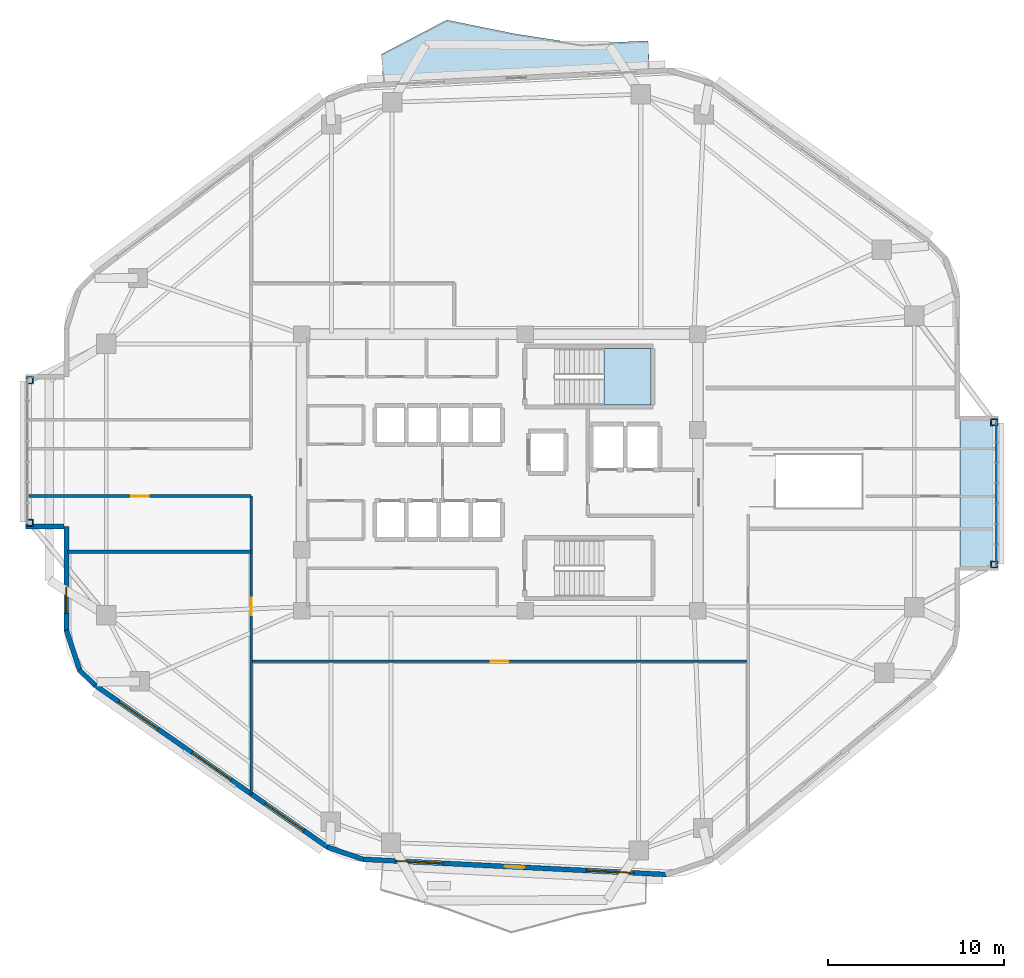
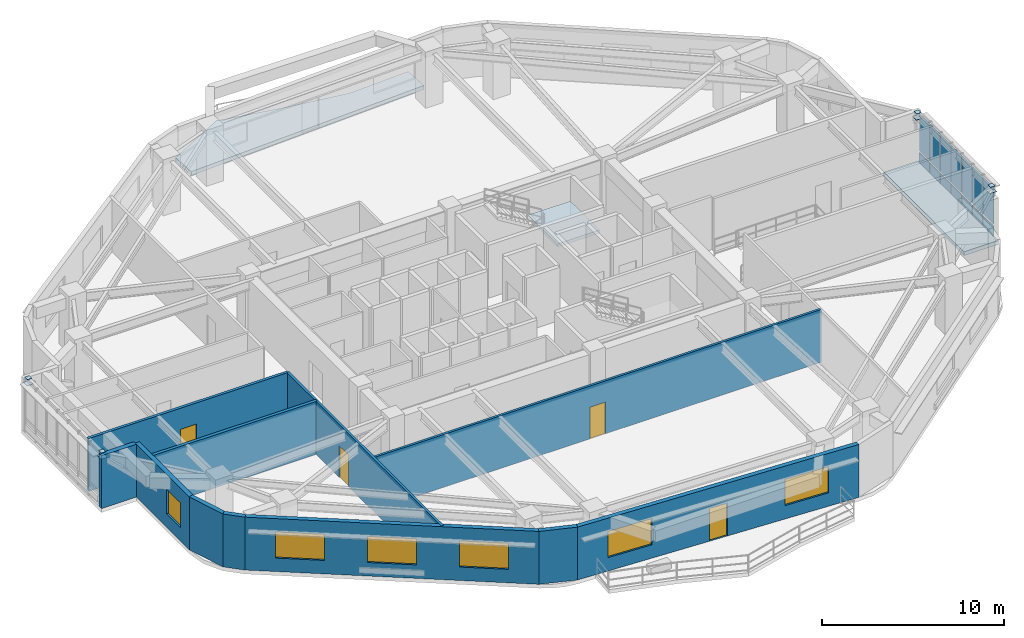
# One storey, part 7 of 14: 22 plates, 11 walls, 6 windows, 4 doors, 3 slabs, 10 openings, 2 elements without a shape of their own.
"""IFC4 building model written with IfcOpenShell, lengths in metres."""

from ifc_helpers import new_model, si_unit, direction, frame, frame_2d, origin, origin_2d, place, context, subcontext, project, spatial, polyline, rectangle, outline, extrude, material, layer, layer_set, type_object, element, fill, aggregate, save


model = new_model("IFC4")

# Units and contexts
model_context = context("Model", 3, precision=1e-05, world=origin(), true_north=direction((0.0, 1.0)))
body_context = subcontext(model_context, "Body", "Model", "MODEL_VIEW")
ifc_project = project(units=[si_unit("LENGTHUNIT", "METRE"), si_unit("AREAUNIT", "SQUARE_METRE"), si_unit("VOLUMEUNIT", "CUBIC_METRE"), si_unit("PLANEANGLEUNIT", "RADIAN"), si_unit("MASSUNIT", "GRAM", prefix="KILO")], contexts=[model_context])

# Site, building, storey
site_placement = place(None, origin())
site = spatial("IfcSite", under=ifc_project, at=site_placement, CompositionType="ELEMENT")
building_placement = place(site_placement, origin())
building = spatial("IfcBuilding", under=site, at=building_placement, Name="Zulverin Broadcast Headquarters", CompositionType="ELEMENT")
storey_placement = place(building_placement, frame((0.0, 0.0, 128.800048828125)))
storey = spatial("IfcBuildingStorey", under=building, at=storey_placement, Name="L32", CompositionType="ELEMENT", Elevation=128.800048828125)

# Curtain wall, plates
ifc_material_1 = material(Name="Acoustic triple-glazed studio box curtain wall", Category="aluminium")
curtain_wall_type = type_object("IfcCurtainWallType", Name="CW-SBOX", PredefinedType="USERDEFINED", material=ifc_material_1)
curtain_wall_placement = place(storey_placement, origin())
curtain_wall = element("IfcCurtainWall", 1, at=curtain_wall_placement, inside=storey, type_object=curtain_wall_type, Name="L32 Unitised Curtain Wall CW-L32-SBOX_SKY1_E-F", ObjectType="UNITISED CURTAIN WALL", PredefinedType="USERDEFINED")
ifc_material_2 = material(Name="Low-E double-glazed pale-silver vision glass", Category="glass")
ifc_layer_1 = layer(ifc_material_2, 0.035888671875, Name="Low-E double-glazed pale-silver vision glass", Category="glass")
ifc_layer_set_1 = layer_set([ifc_layer_1], Name="Low-E double-glazed pale-silver vision glass")
plate_type_1 = type_object("IfcPlateType", Name="CW-PNL-GLZ", PredefinedType="CURTAIN_PANEL", material=ifc_layer_set_1)
plate_1_placement = place(storey_placement, frame((65.280029296875, 20.512939453125, 0.91455078125), z_axis=(0.0, 0.0, 1.0), x_axis=(0.0, 1.0, 0.0)))
plate_1 = element("IfcPlate", 2, at=plate_1_placement, type_object=plate_type_1, Name="CW-L32-SBOX_SKY1_E-F Vision Panel 00", PredefinedType="CURTAIN_PANEL", context=body_context, shape_type="SweptSolid", body=[
    extrude(rectangle(XDim=1.125732421875, YDim=0.035888671875, at=origin_2d()), origin(), (0.0, 0.0, 1.0), 2.4853515625),
])
plate_2_placement = place(storey_placement, frame((65.280029296875, 21.6787109375, 0.91455078125), z_axis=(0.0, 0.0, 1.0), x_axis=(0.0, 1.0, 0.0)))
plate_2 = element("IfcPlate", 3, at=plate_2_placement, type_object=plate_type_1, Name="CW-L32-SBOX_SKY1_E-F Vision Panel 01", PredefinedType="CURTAIN_PANEL", context=body_context, shape_type="SweptSolid", body=[
    extrude(rectangle(XDim=1.125732421875, YDim=0.035888671875, at=origin_2d()), origin(), (0.0, 0.0, 1.0), 2.4853515625),
])
plate_3_placement = place(storey_placement, frame((65.280029296875, 22.84423828125, 0.91455078125), z_axis=(0.0, 0.0, 1.0), x_axis=(0.0, 1.0, 0.0)))
plate_3 = element("IfcPlate", 4, at=plate_3_placement, type_object=plate_type_1, Name="CW-L32-SBOX_SKY1_E-F Vision Panel 02", PredefinedType="CURTAIN_PANEL", context=body_context, shape_type="SweptSolid", body=[
    extrude(rectangle(XDim=1.125732421875, YDim=0.035888671875, at=origin_2d()), origin(), (0.0, 0.0, 1.0), 2.4853515625),
])
plate_4_placement = place(storey_placement, frame((65.280029296875, 24.010009765625, 0.91455078125), z_axis=(0.0, 0.0, 1.0), x_axis=(0.0, 1.0, 0.0)))
plate_4 = element("IfcPlate", 5, at=plate_4_placement, type_object=plate_type_1, Name="CW-L32-SBOX_SKY1_E-F Vision Panel 03", PredefinedType="CURTAIN_PANEL", context=body_context, shape_type="SweptSolid", body=[
    extrude(rectangle(XDim=1.125732421875, YDim=0.035888671875, at=origin_2d()), origin(), (0.0, 0.0, 1.0), 2.4853515625),
])
plate_5_placement = place(storey_placement, frame((65.280029296875, 25.17578125, 0.91455078125), z_axis=(0.0, 0.0, 1.0), x_axis=(0.0, 1.0, 0.0)))
plate_5 = element("IfcPlate", 6, at=plate_5_placement, type_object=plate_type_1, Name="CW-L32-SBOX_SKY1_E-F Vision Panel 04", PredefinedType="CURTAIN_PANEL", context=body_context, shape_type="SweptSolid", body=[
    extrude(rectangle(XDim=1.125732421875, YDim=0.035888671875, at=origin_2d()), origin(), (0.0, 0.0, 1.0), 2.4853515625),
])
plate_6_placement = place(storey_placement, frame((65.280029296875, 26.34130859375, 0.91455078125), z_axis=(0.0, 0.0, 1.0), x_axis=(0.0, 1.0, 0.0)))
plate_6 = element("IfcPlate", 7, at=plate_6_placement, type_object=plate_type_1, Name="CW-L32-SBOX_SKY1_E-F Vision Panel 05", PredefinedType="CURTAIN_PANEL", context=body_context, shape_type="SweptSolid", body=[
    extrude(rectangle(XDim=1.125732421875, YDim=0.035888671875, at=origin_2d()), origin(), (0.0, 0.0, 1.0), 2.4853515625),
])
plate_7_placement = place(storey_placement, frame((65.280029296875, 27.507080078125, 0.91455078125), z_axis=(0.0, 0.0, 1.0), x_axis=(0.0, 1.0, 0.0)))
plate_7 = element("IfcPlate", 8, at=plate_7_placement, type_object=plate_type_1, Name="CW-L32-SBOX_SKY1_E-F Vision Panel 06", PredefinedType="CURTAIN_PANEL", context=body_context, shape_type="SweptSolid", body=[
    extrude(rectangle(XDim=1.125732421875, YDim=0.035888671875, at=origin_2d()), origin(), (0.0, 0.0, 1.0), 2.4853515625),
])
ifc_material_3 = material(Name="Insulated brushed pale-aluminium spandrel cassette", Category="aluminium")
ifc_layer_2 = layer(ifc_material_3, 0.050048828125, Name="Insulated brushed pale-aluminium spandrel cassette", Category="aluminium")
ifc_layer_set_2 = layer_set([ifc_layer_2], Name="Insulated brushed pale-aluminium spandrel cassette")
plate_type_2 = type_object("IfcPlateType", Name="CW-PNL-SPN", PredefinedType="CURTAIN_PANEL", material=ifc_layer_set_2)
plate_8_placement = place(storey_placement, frame((65.280029296875, 20.512939453125, 0.139892578125), z_axis=(0.0, 0.0, 1.0), x_axis=(0.0, 1.0, 0.0)))
plate_8 = element("IfcPlate", 9, at=plate_8_placement, type_object=plate_type_2, Name="CW-L32-SBOX_SKY1_E-F Spandrel Cassette 00", PredefinedType="CURTAIN_PANEL", context=body_context, shape_type="SweptSolid", body=[
    extrude(rectangle(XDim=1.125732421875, YDim=0.050048828125, at=origin_2d()), origin(), (0.0, 0.0, 1.0), 0.64453125),
])
plate_9_placement = place(storey_placement, frame((65.280029296875, 21.6787109375, 0.139892578125), z_axis=(0.0, 0.0, 1.0), x_axis=(0.0, 1.0, 0.0)))
plate_9 = element("IfcPlate", 10, at=plate_9_placement, type_object=plate_type_2, Name="CW-L32-SBOX_SKY1_E-F Spandrel Cassette 01", PredefinedType="CURTAIN_PANEL", context=body_context, shape_type="SweptSolid", body=[
    extrude(rectangle(XDim=1.125732421875, YDim=0.050048828125, at=origin_2d()), origin(), (0.0, 0.0, 1.0), 0.64453125),
])
plate_10_placement = place(storey_placement, frame((65.280029296875, 22.84423828125, 0.139892578125), z_axis=(0.0, 0.0, 1.0), x_axis=(0.0, 1.0, 0.0)))
plate_10 = element("IfcPlate", 11, at=plate_10_placement, type_object=plate_type_2, Name="CW-L32-SBOX_SKY1_E-F Spandrel Cassette 02", PredefinedType="CURTAIN_PANEL", context=body_context, shape_type="SweptSolid", body=[
    extrude(rectangle(XDim=1.125732421875, YDim=0.050048828125, at=origin_2d()), origin(), (0.0, 0.0, 1.0), 0.64453125),
])
plate_11_placement = place(storey_placement, frame((65.280029296875, 24.010009765625, 0.139892578125), z_axis=(0.0, 0.0, 1.0), x_axis=(0.0, 1.0, 0.0)))
plate_11 = element("IfcPlate", 12, at=plate_11_placement, type_object=plate_type_2, Name="CW-L32-SBOX_SKY1_E-F Spandrel Cassette 03", PredefinedType="CURTAIN_PANEL", context=body_context, shape_type="SweptSolid", body=[
    extrude(rectangle(XDim=1.125732421875, YDim=0.050048828125, at=origin_2d()), origin(), (0.0, 0.0, 1.0), 0.64453125),
])
plate_12_placement = place(storey_placement, frame((65.280029296875, 25.17578125, 0.139892578125), z_axis=(0.0, 0.0, 1.0), x_axis=(0.0, 1.0, 0.0)))
plate_12 = element("IfcPlate", 13, at=plate_12_placement, type_object=plate_type_2, Name="CW-L32-SBOX_SKY1_E-F Spandrel Cassette 04", PredefinedType="CURTAIN_PANEL", context=body_context, shape_type="SweptSolid", body=[
    extrude(rectangle(XDim=1.125732421875, YDim=0.050048828125, at=origin_2d()), origin(), (0.0, 0.0, 1.0), 0.64453125),
])
plate_13_placement = place(storey_placement, frame((65.280029296875, 26.34130859375, 0.139892578125), z_axis=(0.0, 0.0, 1.0), x_axis=(0.0, 1.0, 0.0)))
plate_13 = element("IfcPlate", 14, at=plate_13_placement, type_object=plate_type_2, Name="CW-L32-SBOX_SKY1_E-F Spandrel Cassette 05", PredefinedType="CURTAIN_PANEL", context=body_context, shape_type="SweptSolid", body=[
    extrude(rectangle(XDim=1.125732421875, YDim=0.050048828125, at=origin_2d()), origin(), (0.0, 0.0, 1.0), 0.64453125),
])
plate_14_placement = place(storey_placement, frame((65.280029296875, 27.507080078125, 0.139892578125), z_axis=(0.0, 0.0, 1.0), x_axis=(0.0, 1.0, 0.0)))
plate_14 = element("IfcPlate", 15, at=plate_14_placement, type_object=plate_type_2, Name="CW-L32-SBOX_SKY1_E-F Spandrel Cassette 06", PredefinedType="CURTAIN_PANEL", context=body_context, shape_type="SweptSolid", body=[
    extrude(rectangle(XDim=1.125732421875, YDim=0.050048828125, at=origin_2d()), origin(), (0.0, 0.0, 1.0), 0.64453125),
])
aggregate(curtain_wall, [plate_8, plate_1, plate_9, plate_2, plate_10, plate_3, plate_11, plate_4, plate_12, plate_5, plate_13, plate_6, plate_14, plate_7])

# Plates
ifc_material_4 = material(Name="Structural steel S355JR", Category="steel")
ifc_layer_3 = layer(ifc_material_4, 0.02490234375, Name="Structural steel S355JR", Category="steel")
ifc_layer_set_3 = layer_set([ifc_layer_3], Name="Structural steel S355JR")
plate_type_3 = type_object("IfcPlateType", Name="PLT-NODE-SBN1", PredefinedType="SHEET", material=ifc_layer_set_3)
plate_15_placement = place(storey_placement, frame((65.14990234375, 19.9599609375, 3.53759765625), z_axis=(0.0, 0.0, 1.0), x_axis=(1.0, 0.0, 0.0)))
element("IfcPlate", 16, at=plate_15_placement, inside=storey, type_object=plate_type_3, Name="SBN-1 Studio Box Post End Cap Plate L32-SBOX_SKY1_E-1", PredefinedType="SHEET", context=body_context, shape_type="SweptSolid", body=[
    extrude(rectangle(XDim=0.300048828125, YDim=0.300048828125, at=origin_2d()), origin(), (0.0, 0.0, 1.0), 0.02490234375),
])
plate_16_placement = place(storey_placement, frame((65.14990234375, 19.9599609375, 3.177490234375), z_axis=(0.0, 0.0, 1.0), x_axis=(1.0, 0.0, 0.0)))
element("IfcPlate", 17, at=plate_16_placement, inside=storey, type_object=plate_type_3, Name="SBN-1 Studio Box Node Gusset Plate L32-SBOX_SKY1_E-1", PredefinedType="SHEET", context=body_context, shape_type="SweptSolid", body=[
    extrude(rectangle(XDim=0.419921875, YDim=0.419921875, at=origin_2d()), origin(), (0.0, 0.0, 1.0), 0.02490234375),
])
plate_17_placement = place(storey_placement, frame((65.14990234375, 28.06005859375, 3.53759765625), z_axis=(0.0, 0.0, 1.0), x_axis=(1.0, 0.0, 0.0)))
element("IfcPlate", 18, at=plate_17_placement, inside=storey, type_object=plate_type_3, Name="SBN-1 Studio Box Post End Cap Plate L32-SBOX_SKY1_E-2", PredefinedType="SHEET", context=body_context, shape_type="SweptSolid", body=[
    extrude(rectangle(XDim=0.300048828125, YDim=0.300048828125, at=origin_2d()), origin(), (0.0, 0.0, 1.0), 0.02490234375),
])
plate_18_placement = place(storey_placement, frame((65.14990234375, 28.06005859375, 3.177490234375), z_axis=(0.0, 0.0, 1.0), x_axis=(1.0, 0.0, 0.0)))
element("IfcPlate", 19, at=plate_18_placement, inside=storey, type_object=plate_type_3, Name="SBN-1 Studio Box Node Gusset Plate L32-SBOX_SKY1_E-2", PredefinedType="SHEET", context=body_context, shape_type="SweptSolid", body=[
    extrude(rectangle(XDim=0.419921875, YDim=0.419921875, at=origin_2d()), origin(), (0.0, 0.0, 1.0), 0.02490234375),
])
plate_19_placement = place(storey_placement, frame((10.25, 22.340087890625, 3.53759765625), z_axis=(0.0, 0.0, 1.0), x_axis=(1.0, 0.0, 0.0)))
element("IfcPlate", 20, at=plate_19_placement, inside=storey, type_object=plate_type_3, Name="SBN-1 Studio Box Post End Cap Plate L32-SBOX_SKY1_W-1", PredefinedType="SHEET", context=body_context, shape_type="SweptSolid", body=[
    extrude(rectangle(XDim=0.300048828125, YDim=0.300048828125, at=origin_2d()), origin(), (0.0, 0.0, 1.0), 0.02490234375),
])
plate_20_placement = place(storey_placement, frame((10.25, 22.340087890625, 3.177490234375), z_axis=(0.0, 0.0, 1.0), x_axis=(1.0, 0.0, 0.0)))
element("IfcPlate", 21, at=plate_20_placement, inside=storey, type_object=plate_type_3, Name="SBN-1 Studio Box Node Gusset Plate L32-SBOX_SKY1_W-1", PredefinedType="SHEET", context=body_context, shape_type="SweptSolid", body=[
    extrude(rectangle(XDim=0.419921875, YDim=0.419921875, at=origin_2d()), origin(), (0.0, 0.0, 1.0), 0.02490234375),
])
plate_21_placement = place(storey_placement, frame((10.25, 30.43994140625, 3.53759765625), z_axis=(0.0, 0.0, 1.0), x_axis=(1.0, 0.0, 0.0)))
element("IfcPlate", 22, at=plate_21_placement, inside=storey, type_object=plate_type_3, Name="SBN-1 Studio Box Post End Cap Plate L32-SBOX_SKY1_W-2", PredefinedType="SHEET", context=body_context, shape_type="SweptSolid", body=[
    extrude(rectangle(XDim=0.300048828125, YDim=0.300048828125, at=origin_2d()), origin(), (0.0, 0.0, 1.0), 0.02490234375),
])
plate_22_placement = place(storey_placement, frame((10.25, 30.43994140625, 3.177490234375), z_axis=(0.0, 0.0, 1.0), x_axis=(1.0, 0.0, 0.0)))
element("IfcPlate", 23, at=plate_22_placement, inside=storey, type_object=plate_type_3, Name="SBN-1 Studio Box Node Gusset Plate L32-SBOX_SKY1_W-2", PredefinedType="SHEET", context=body_context, shape_type="SweptSolid", body=[
    extrude(rectangle(XDim=0.419921875, YDim=0.419921875, at=origin_2d()), origin(), (0.0, 0.0, 1.0), 0.02490234375),
])

# Slab
ifc_material_5 = material(Name="Concrete C40/50", Category="concrete")
ifc_layer_4 = layer(ifc_material_5, 0.260009765625, Name="Concrete C40/50", Category="concrete")
ifc_layer_set_4 = layer_set([ifc_layer_4], Name="Concrete C40/50")
slab_type_1 = type_object("IfcSlabType", Name="SLB-BAL-260", PredefinedType="FLOOR", material=ifc_layer_set_4)
slab_1_placement = place(storey_placement, frame((0.0, 0.0, -0.260009765625)))
element("IfcSlab", 24, at=slab_1_placement, inside=storey, type_object=slab_type_1, Name="L32 Cantilevered Planted Balcony Slab BAL_N", PredefinedType="FLOOR", context=body_context, shape_type="SweptSolid", body=[
    extrude(outline(polyline([(30.364013671875, 47.4150390625), (45.526611328125, 48.17578125), (45.4462890625, 49.773681640625), (41.65576171875, 49.58349609375), (37.82568359375, 50.17724609375), (33.986572265625, 50.954833984375), (30.28369140625, 49.012939453125), (30.364013671875, 47.4150390625)])), origin(), (0.0, 0.0, 1.0), 0.260009765625),
])

# Stair, slab
stair_type = type_object("IfcStairType", Name="ST-CORE-1500", PredefinedType="HALF_TURN_STAIR", material=ifc_material_5)
stair_placement = place(storey_placement, origin())
stair = element("IfcStair", 25, at=stair_placement, inside=storey, type_object=stair_type, Name="L32 Core Exit Stair ST-1", PredefinedType="HALF_TURN_STAIR")
ifc_layer_5 = layer(ifc_material_5, 0.199951171875, Name="Concrete C40/50", Category="concrete")
ifc_layer_set_5 = layer_set([ifc_layer_5], Name="Concrete C40/50")
slab_type_2 = type_object("IfcSlabType", Name="SLB-ST-LND200", PredefinedType="LANDING", material=ifc_layer_set_5)
slab_2_placement = place(storey_placement, frame((0.0, 0.0, 1.699951171875)))
slab_2 = element("IfcSlab", 26, at=slab_2_placement, type_object=slab_type_2, Name="ST-1 landing 1", PredefinedType="LANDING", context=body_context, shape_type="SweptSolid", body=[
    extrude(outline(polyline([(42.929931640625, 29.050048828125), (45.60009765625, 29.050048828125), (45.60009765625, 32.25), (42.929931640625, 32.25), (42.929931640625, 29.050048828125)])), origin(), (0.0, 0.0, 1.0), 0.199951171875),
])
aggregate(stair, [slab_2])

# Slab
ifc_layer_6 = layer(ifc_material_5, 0.260009765625, Name="Concrete C40/50", Category="concrete")
ifc_layer_set_6 = layer_set([ifc_layer_6], Name="Concrete C40/50")
slab_type_3 = type_object("IfcSlabType", Name="SLB-TWR-260", PredefinedType="FLOOR", material=ifc_layer_set_6)
slab_3_placement = place(storey_placement, frame((0.0, 0.0, -0.260009765625)))
element("IfcSlab", 27, at=slab_3_placement, inside=storey, type_object=slab_type_3, Name="L32 Shifted Broadcast Studio Box Floor Slab SBOX_SKY1_E", PredefinedType="FLOOR", context=body_context, shape_type="SweptSolid", body=[
    extrude(outline(polyline([(63.199951171875, 19.610107421875), (65.39990234375, 19.610107421875), (65.39990234375, 28.409912109375), (63.199951171875, 28.409912109375), (63.199951171875, 19.610107421875)])), origin(), (0.0, 0.0, 1.0), 0.260009765625),
])

# Wall
ifc_material_6 = material(Name="Acoustic drywall steel stud", Category="steel")
ifc_layer_7 = layer(ifc_material_6, 0.199951171875, Name="Acoustic drywall steel stud", Category="steel")
ifc_layer_set_7 = layer_set([ifc_layer_7], Name="Acoustic drywall steel stud")
wall_type_1 = type_object("IfcWallType", Name="WL-ACOU-200", PredefinedType="PARTITIONING", material=ifc_layer_set_7)
wall_1_placement = place(storey_placement, frame((12.405029296875, 20.699951171875, 0.0), z_axis=(0.0, 0.0, 1.0), x_axis=(1.0, 0.0, 0.0)))
element("IfcWall", 28, at=wall_1_placement, inside=storey, type_object=wall_type_1, Name="L32 Room Partition Wall RP-06", PredefinedType="PARTITIONING", context=body_context, shape_type="SweptSolid", body=[
    extrude(rectangle(XDim=10.445068359375, YDim=0.199951171875, at=frame_2d((5.22265625, 0.0))), origin(), (0.0, 0.0, 1.0), 3.5400390625),
])

# Wall, openings, door, windows
ifc_material_7 = material(Name="Insulated pale-metal clad concrete spandrel C40/50", Category="concrete")
ifc_layer_8 = layer(ifc_material_7, 0.280029296875, Name="Insulated pale-metal clad concrete spandrel C40/50", Category="concrete")
ifc_layer_set_8 = layer_set([ifc_layer_8], Name="Insulated pale-metal clad concrete spandrel C40/50")
wall_type_2 = type_object("IfcWallType", Name="WL-EXT-280", PredefinedType="STANDARD", material=ifc_layer_set_8)
wall_2_placement = place(storey_placement, frame((29.19482421875, 3.183837890625, 0.0), z_axis=(0.0, 0.0, 1.0), x_axis=(0.998743400978, -0.05011605535, 0.0)))
wall_2 = element("IfcWall", 29, at=wall_2_placement, inside=storey, type_object=wall_type_2, Name="L32 Pale-Metal Clad Spandrel Wall 1", PredefinedType="STANDARD", context=body_context, shape_type="SweptSolid", body=[
    extrude(rectangle(XDim=17.332763671875, YDim=0.280029296875, at=frame_2d((8.66650390625, 0.0))), origin(), (0.0, 0.0, 1.0), 3.5400390625),
])
opening_1_placement = place(wall_2_placement, frame((8.116455078125, 0.0, 0.0)))
opening_1 = element("IfcOpeningElement", 30, at=opening_1_placement, cuts=wall_2, Name="Opening D-L32-TR1", PredefinedType="OPENING", context=body_context, shape_type="SweptSolid", body=[
    extrude(rectangle(XDim=1.10009765625, YDim=2.199951171875, at=frame_2d((0.550048828125, 1.10009765625))), frame((0.0, 0.14990234375, 0.0), z_axis=(0.0, -1.0, 0.0), x_axis=(1.0, 0.0, 0.0)), (0.0, 0.0, 1.0), 0.300048828125),
])
opening_2_placement = place(wall_2_placement, frame((1.8720703125, 0.0, 0.89990234375)))
opening_2 = element("IfcOpeningElement", 31, at=opening_2_placement, cuts=wall_2, Name="Opening W-L32-E11", PredefinedType="OPENING", context=body_context, shape_type="SweptSolid", body=[
    extrude(rectangle(XDim=2.699951171875, YDim=1.75, at=frame_2d((1.35009765625, 0.875))), frame((0.0, 0.14990234375, 0.0), z_axis=(0.0, -1.0, 0.0), x_axis=(1.0, 0.0, 0.0)), (0.0, 0.0, 1.0), 0.300048828125),
])
opening_3_placement = place(wall_2_placement, frame((12.760498046875, 0.0, 0.89990234375)))
opening_3 = element("IfcOpeningElement", 32, at=opening_3_placement, cuts=wall_2, Name="Opening W-L32-E12", PredefinedType="OPENING", context=body_context, shape_type="SweptSolid", body=[
    extrude(rectangle(XDim=2.699951171875, YDim=1.75, at=frame_2d((1.35009765625, 0.875))), frame((0.0, 0.14990234375, 0.0), z_axis=(0.0, -1.0, 0.0), x_axis=(1.0, 0.0, 0.0)), (0.0, 0.0, 1.0), 0.300048828125),
])
ifc_material_8 = material(Name="Thermally broken aluminium glazed", Category="aluminium")
door_type_1 = type_object("IfcDoorType", Name="DR-TERR-1100", OperationType="SINGLE_SWING_RIGHT", PredefinedType="DOOR", material=ifc_material_8)
door_1_placement = place(opening_1_placement, origin())
door_1 = element("IfcDoor", 33, at=door_1_placement, inside=storey, type_object=door_type_1, Name="L32 Planted Terrace Glazed Access Door 1", OperationType="SINGLE_SWING_RIGHT", OverallHeight=2.199951171875, OverallWidth=1.10009765625, PredefinedType="DOOR", context=body_context, shape_type="SweptSolid", body=[
    extrude(rectangle(XDim=1.10009765625, YDim=2.199951171875, at=frame_2d((0.550048828125, 1.10009765625))), frame((0.0, 0.02490234375, 0.0), z_axis=(0.0, -1.0, 0.0), x_axis=(1.0, 0.0, 0.0)), (0.0, 0.0, 1.0), 0.050048828125),
])
fill(opening_1, door_1)
ifc_material_9 = material(Name="Pale anodized aluminium frame with solar-control low-E double glazing", Category="aluminium")
window_type_1 = type_object("IfcWindowType", Name="WIN-TWR-2700", PartitioningType="SINGLE_PANEL", PredefinedType="WINDOW", material=ifc_material_9)
window_1_placement = place(opening_2_placement, origin())
window_1 = element("IfcWindow", 34, at=window_1_placement, inside=storey, type_object=window_type_1, Name="L32 Ribbon Glazing Window 1 1", OverallHeight=1.75, OverallWidth=2.699951171875, PartitioningType="SINGLE_PANEL", PredefinedType="WINDOW", context=body_context, shape_type="SweptSolid", body=[
    extrude(rectangle(XDim=2.699951171875, YDim=1.75, at=frame_2d((1.35009765625, 0.875))), frame((0.0, 0.030029296875, 0.0), z_axis=(0.0, -1.0, 0.0), x_axis=(1.0, 0.0, 0.0)), (0.0, 0.0, 1.0), 0.06005859375),
])
fill(opening_2, window_1)
window_2_placement = place(opening_3_placement, origin())
window_2 = element("IfcWindow", 35, at=window_2_placement, inside=storey, type_object=window_type_1, Name="L32 Ribbon Glazing Window 1 2", OverallHeight=1.75, OverallWidth=2.699951171875, PartitioningType="SINGLE_PANEL", PredefinedType="WINDOW", context=body_context, shape_type="SweptSolid", body=[
    extrude(rectangle(XDim=2.699951171875, YDim=1.75, at=frame_2d((1.35009765625, 0.875))), frame((0.0, 0.030029296875, 0.0), z_axis=(0.0, -1.0, 0.0), x_axis=(1.0, 0.0, 0.0)), (0.0, 0.0, 1.0), 0.06005859375),
])
fill(opening_3, window_2)

# Wall, opening, window
wall_3_placement = place(storey_placement, frame((12.340087890625, 22.1298828125, 0.0), z_axis=(0.0, 0.0, 1.0), x_axis=(0.0, -1.0, 0.0)))
wall_3 = element("IfcWall", 36, at=wall_3_placement, inside=storey, type_object=wall_type_2, Name="L32 Pale-Metal Clad Flanking Spandrel Wall 7-2", PredefinedType="STANDARD", context=body_context, shape_type="SweptSolid", body=[
    extrude(rectangle(XDim=5.94287109375, YDim=0.280029296875, at=frame_2d((2.971435546875, 0.0))), origin(), (0.0, 0.0, 1.0), 3.5400390625),
])
opening_4_placement = place(wall_3_placement, frame((3.457275390625, 0.0, 0.89990234375)))
opening_4 = element("IfcOpeningElement", 37, at=opening_4_placement, cuts=wall_3, Name="Opening W-L32-E7F21", PredefinedType="OPENING", context=body_context, shape_type="SweptSolid", body=[
    extrude(rectangle(XDim=1.5, YDim=1.64990234375, at=frame_2d((0.75, 0.824951171875))), frame((0.0, 0.14990234375, 0.0), z_axis=(0.0, -1.0, 0.0), x_axis=(1.0, 0.0, 0.0)), (0.0, 0.0, 1.0), 0.300048828125),
])
window_type_2 = type_object("IfcWindowType", Name="WIN-STD-1500", PartitioningType="SINGLE_PANEL", PredefinedType="WINDOW", material=ifc_material_9)
window_3_placement = place(opening_4_placement, origin())
window_3 = element("IfcWindow", 38, at=window_3_placement, inside=storey, type_object=window_type_2, Name="L32 Flanking Ribbon Window 7-2 1", OverallHeight=1.64990234375, OverallWidth=1.5, PartitioningType="SINGLE_PANEL", PredefinedType="WINDOW", context=body_context, shape_type="SweptSolid", body=[
    extrude(rectangle(XDim=1.5, YDim=1.64990234375, at=frame_2d((0.75, 0.824951171875))), frame((0.0, 0.030029296875, 0.0), z_axis=(0.0, -1.0, 0.0), x_axis=(1.0, 0.0, 0.0)), (0.0, 0.0, 1.0), 0.06005859375),
])
fill(opening_4, window_3)

# Wall, openings, windows
wall_4_placement = place(storey_placement, frame((13.95166015625, 13.10107421875, 0.0), z_axis=(0.0, 0.0, 1.0), x_axis=(0.820698239491, -0.571361881558, 0.0)))
wall_4 = element("IfcWall", 39, at=wall_4_placement, inside=storey, type_object=wall_type_2, Name="L32 Pale-Metal Clad Spandrel Wall 8", PredefinedType="STANDARD", context=body_context, shape_type="SweptSolid", body=[
    extrude(rectangle(XDim=16.185546875, YDim=0.280029296875, at=frame_2d((8.0927734375, 0.0))), origin(), (0.0, 0.0, 1.0), 3.5400390625),
])
opening_5_placement = place(wall_4_placement, frame((1.680908203125, 0.0, 0.89990234375)))
opening_5 = element("IfcOpeningElement", 40, at=opening_5_placement, cuts=wall_4, Name="Opening W-L32-E81", PredefinedType="OPENING", context=body_context, shape_type="SweptSolid", body=[
    extrude(rectangle(XDim=2.699951171875, YDim=1.75, at=frame_2d((1.35009765625, 0.875))), frame((0.0, 0.14990234375, 0.0), z_axis=(0.0, -1.0, 0.0), x_axis=(1.0, 0.0, 0.0)), (0.0, 0.0, 1.0), 0.300048828125),
])
opening_6_placement = place(wall_4_placement, frame((6.74267578125, 0.0, 0.89990234375)))
opening_6 = element("IfcOpeningElement", 41, at=opening_6_placement, cuts=wall_4, Name="Opening W-L32-E82", PredefinedType="OPENING", context=body_context, shape_type="SweptSolid", body=[
    extrude(rectangle(XDim=2.699951171875, YDim=1.75, at=frame_2d((1.35009765625, 0.875))), frame((0.0, 0.14990234375, 0.0), z_axis=(0.0, -1.0, 0.0), x_axis=(1.0, 0.0, 0.0)), (0.0, 0.0, 1.0), 0.300048828125),
])
opening_7_placement = place(wall_4_placement, frame((11.804443359375, 0.0, 0.89990234375)))
opening_7 = element("IfcOpeningElement", 42, at=opening_7_placement, cuts=wall_4, Name="Opening W-L32-E83", PredefinedType="OPENING", context=body_context, shape_type="SweptSolid", body=[
    extrude(rectangle(XDim=2.699951171875, YDim=1.75, at=frame_2d((1.35009765625, 0.875))), frame((0.0, 0.14990234375, 0.0), z_axis=(0.0, -1.0, 0.0), x_axis=(1.0, 0.0, 0.0)), (0.0, 0.0, 1.0), 0.300048828125),
])
window_4_placement = place(opening_5_placement, origin())
window_4 = element("IfcWindow", 43, at=window_4_placement, inside=storey, type_object=window_type_1, Name="L32 Ribbon Glazing Window 8 1", OverallHeight=1.75, OverallWidth=2.699951171875, PartitioningType="SINGLE_PANEL", PredefinedType="WINDOW", context=body_context, shape_type="SweptSolid", body=[
    extrude(rectangle(XDim=2.699951171875, YDim=1.75, at=frame_2d((1.35009765625, 0.875))), frame((0.0, 0.030029296875, 0.0), z_axis=(0.0, -1.0, 0.0), x_axis=(1.0, 0.0, 0.0)), (0.0, 0.0, 1.0), 0.06005859375),
])
fill(opening_5, window_4)
window_5_placement = place(opening_6_placement, origin())
window_5 = element("IfcWindow", 44, at=window_5_placement, inside=storey, type_object=window_type_1, Name="L32 Ribbon Glazing Window 8 2", OverallHeight=1.75, OverallWidth=2.699951171875, PartitioningType="SINGLE_PANEL", PredefinedType="WINDOW", context=body_context, shape_type="SweptSolid", body=[
    extrude(rectangle(XDim=2.699951171875, YDim=1.75, at=frame_2d((1.35009765625, 0.875))), frame((0.0, 0.030029296875, 0.0), z_axis=(0.0, -1.0, 0.0), x_axis=(1.0, 0.0, 0.0)), (0.0, 0.0, 1.0), 0.06005859375),
])
fill(opening_6, window_5)
window_6_placement = place(opening_7_placement, origin())
window_6 = element("IfcWindow", 45, at=window_6_placement, inside=storey, type_object=window_type_1, Name="L32 Ribbon Glazing Window 8 3", OverallHeight=1.75, OverallWidth=2.699951171875, PartitioningType="SINGLE_PANEL", PredefinedType="WINDOW", context=body_context, shape_type="SweptSolid", body=[
    extrude(rectangle(XDim=2.699951171875, YDim=1.75, at=frame_2d((1.35009765625, 0.875))), frame((0.0, 0.030029296875, 0.0), z_axis=(0.0, -1.0, 0.0), x_axis=(1.0, 0.0, 0.0)), (0.0, 0.0, 1.0), 0.06005859375),
])
fill(opening_7, window_6)

# Walls
wall_5_placement = place(storey_placement, frame((12.3330078125, 16.231201171875, 0.0), z_axis=(0.0, 0.0, 1.0), x_axis=(0.315364302967, -0.94897068259, 0.0)))
element("IfcWall", 46, at=wall_5_placement, inside=storey, type_object=wall_type_2, Name="L32 Wind-Shaped Corner Spandrel Wall 7-1", PredefinedType="STANDARD", context=body_context, shape_type="SweptSolid", body=[
    extrude(rectangle(XDim=2.460205078125, YDim=0.280029296875, at=frame_2d((1.22998046875, 0.0))), origin(), (0.0, 0.0, 1.0), 3.5400390625),
])
wall_6_placement = place(storey_placement, frame((13.0732421875, 13.952880859375, 0.0), z_axis=(0.0, 0.0, 1.0), x_axis=(0.718958999036, -0.695052485576, 0.0)))
element("IfcWall", 47, at=wall_6_placement, inside=storey, type_object=wall_type_2, Name="L32 Wind-Shaped Corner Spandrel Wall 7-2", PredefinedType="STANDARD", context=body_context, shape_type="SweptSolid", body=[
    extrude(rectangle(XDim=1.245849609375, YDim=0.280029296875, at=frame_2d((0.623046875, 0.0))), origin(), (0.0, 0.0, 1.0), 3.5400390625),
])
wall_7_placement = place(storey_placement, frame((27.2001953125, 3.870849609375, 0.0), z_axis=(0.0, 0.0, 1.0), x_axis=(0.946327814955, -0.323208395068, 0.0)))
element("IfcWall", 48, at=wall_7_placement, inside=storey, type_object=wall_type_2, Name="L32 Wind-Shaped Corner Spandrel Wall 8-1", PredefinedType="STANDARD", context=body_context, shape_type="SweptSolid", body=[
    extrude(rectangle(XDim=2.148193359375, YDim=0.280029296875, at=frame_2d((1.07421875, 0.0))), origin(), (0.0, 0.0, 1.0), 3.5400390625),
])
wall_8_placement = place(storey_placement, frame((10.0, 22.1298828125, 0.0), z_axis=(0.0, 0.0, 1.0), x_axis=(1.0, 0.0, 0.0)))
element("IfcWall", 49, at=wall_8_placement, inside=storey, type_object=wall_type_2, Name="L32 Shifted Studio Box Cheek Wall SBOX_SKY1_W-S", PredefinedType="STANDARD", context=body_context, shape_type="SweptSolid", body=[
    extrude(rectangle(XDim=2.199951171875, YDim=0.280029296875, at=frame_2d((1.10009765625, 0.0))), origin(), (0.0, 0.0, 1.0), 3.5400390625),
])

# Wall, opening, door
ifc_material_10 = material(Name="Fire-rated gypsum stud partition", Category="gypsum")
ifc_layer_9 = layer(ifc_material_10, 0.14990234375, Name="Fire-rated gypsum stud partition", Category="gypsum")
ifc_layer_set_9 = layer_set([ifc_layer_9], Name="Fire-rated gypsum stud partition")
wall_type_3 = type_object("IfcWallType", Name="WL-PART-150", PredefinedType="PARTITIONING", material=ifc_layer_set_9)
wall_9_placement = place(storey_placement, frame((22.85009765625, 6.87548828125, 0.0), z_axis=(0.0, 0.0, 1.0), x_axis=(0.0, 1.0, 0.0)))
wall_9 = element("IfcWall", 50, at=wall_9_placement, inside=storey, type_object=wall_type_3, Name="L32 Gallery Partition Wall CG-03", PredefinedType="PARTITIONING", context=body_context, shape_type="SweptSolid", body=[
    extrude(rectangle(XDim=16.974609375, YDim=0.14990234375, at=frame_2d((8.4873046875, 0.0))), origin(), (0.0, 0.0, 1.0), 3.5400390625),
])
opening_8_placement = place(wall_9_placement, frame((10.199462890625, 0.0, 0.0)))
opening_8 = element("IfcOpeningElement", 51, at=opening_8_placement, cuts=wall_9, Name="Opening D-L32-03", PredefinedType="OPENING", context=body_context, shape_type="SweptSolid", body=[
    extrude(rectangle(XDim=1.0, YDim=2.1201171875, at=frame_2d((0.5, 1.06005859375))), frame((0.0, 0.0849609375, 0.0), z_axis=(0.0, -1.0, 0.0), x_axis=(1.0, 0.0, 0.0)), (0.0, 0.0, 1.0), 0.169921875),
])
ifc_material_11 = material(Name="Hardwood veneer acoustic leaf", Category="wood")
door_type_2 = type_object("IfcDoorType", Name="DR-OFF-1000", OperationType="SINGLE_SWING_LEFT", PredefinedType="DOOR", material=ifc_material_11)
door_2_placement = place(opening_8_placement, origin())
door_2 = element("IfcDoor", 52, at=door_2_placement, inside=storey, type_object=door_type_2, Name="L32 Economics Desk Office Door", OperationType="SINGLE_SWING_RIGHT", OverallHeight=2.1201171875, OverallWidth=1.0, PredefinedType="DOOR", context=body_context, shape_type="SweptSolid", body=[
    extrude(rectangle(XDim=1.0, YDim=2.1201171875, at=frame_2d((0.5, 1.06005859375))), frame((0.0, 0.02490234375, 0.0), z_axis=(0.0, -1.0, 0.0), x_axis=(1.0, 0.0, 0.0)), (0.0, 0.0, 1.0), 0.050048828125),
])
fill(opening_8, door_2)

wall_10_placement = place(storey_placement, frame((22.85009765625, 14.449951171875, 0.0), z_axis=(0.0, 0.0, 1.0), x_axis=(1.0, 0.0, 0.0)))
wall_10 = element("IfcWall", 53, at=wall_10_placement, inside=storey, type_object=wall_type_3, Name="L32 Gallery Partition Wall CG-05", PredefinedType="PARTITIONING", context=body_context, shape_type="SweptSolid", body=[
    extrude(rectangle(XDim=28.2998046875, YDim=0.14990234375, at=frame_2d((14.14990234375, 0.0))), origin(), (0.0, 0.0, 1.0), 3.5400390625),
])
opening_9_placement = place(wall_10_placement, frame((13.64990234375, 0.0, 0.0)))
opening_9 = element("IfcOpeningElement", 54, at=opening_9_placement, cuts=wall_10, Name="Opening D-L32-02", PredefinedType="OPENING", context=body_context, shape_type="SweptSolid", body=[
    extrude(rectangle(XDim=1.0, YDim=2.1201171875, at=frame_2d((0.5, 1.06005859375))), frame((0.0, 0.0849609375, 0.0), z_axis=(0.0, -1.0, 0.0), x_axis=(1.0, 0.0, 0.0)), (0.0, 0.0, 1.0), 0.169921875),
])
door_3_placement = place(opening_9_placement, origin())
door_3 = element("IfcDoor", 55, at=door_3_placement, inside=storey, type_object=door_type_2, Name="L32 Foreign Desk Office Door", OperationType="SINGLE_SWING_LEFT", OverallHeight=2.1201171875, OverallWidth=1.0, PredefinedType="DOOR", context=body_context, shape_type="SweptSolid", body=[
    extrude(rectangle(XDim=1.0, YDim=2.1201171875, at=frame_2d((0.5, 1.06005859375))), frame((0.0, 0.02490234375, 0.0), z_axis=(0.0, -1.0, 0.0), x_axis=(1.0, 0.0, 0.0)), (0.0, 0.0, 1.0), 0.050048828125),
])
fill(opening_9, door_3)

ifc_material_12 = material(Name="Fire-rated acoustic stud wall", Category="gypsum")
ifc_layer_10 = layer(ifc_material_12, 0.175048828125, Name="Fire-rated acoustic stud wall", Category="gypsum")
ifc_layer_set_10 = layer_set([ifc_layer_10], Name="Fire-rated acoustic stud wall")
wall_type_4 = type_object("IfcWallType", Name="WL-PART-175", PredefinedType="PARTITIONING", material=ifc_layer_set_10)
wall_11_placement = place(storey_placement, frame((10.205078125, 23.85009765625, 0.0), z_axis=(0.0, 0.0, 1.0), x_axis=(1.0, 0.0, 0.0)))
wall_11 = element("IfcWall", 56, at=wall_11_placement, inside=storey, type_object=wall_type_4, Name="L32 Gallery Partition Wall CG-08", PredefinedType="PARTITIONING", context=body_context, shape_type="SweptSolid", body=[
    extrude(rectangle(XDim=12.64501953125, YDim=0.175048828125, at=frame_2d((6.322509765625, 0.0))), origin(), (0.0, 0.0, 1.0), 3.5400390625),
])
opening_10_placement = place(wall_11_placement, frame((5.822509765625, 0.0, 0.0)))
opening_10 = element("IfcOpeningElement", 57, at=opening_10_placement, cuts=wall_11, Name="Opening D-L32-04", PredefinedType="OPENING", context=body_context, shape_type="SweptSolid", body=[
    extrude(rectangle(XDim=1.0, YDim=2.1201171875, at=frame_2d((0.5, 1.06005859375))), frame((0.0, 0.097412109375, 0.0), z_axis=(0.0, -1.0, 0.0), x_axis=(1.0, 0.0, 0.0)), (0.0, 0.0, 1.0), 0.195068359375),
])
door_4_placement = place(opening_10_placement, origin())
door_4 = element("IfcDoor", 58, at=door_4_placement, inside=storey, type_object=door_type_2, Name="L32 Digital Desk Office Door", OperationType="SINGLE_SWING_LEFT", OverallHeight=2.1201171875, OverallWidth=1.0, PredefinedType="DOOR", context=body_context, shape_type="SweptSolid", body=[
    extrude(rectangle(XDim=1.0, YDim=2.1201171875, at=frame_2d((0.5, 1.06005859375))), frame((0.0, 0.02490234375, 0.0), z_axis=(0.0, -1.0, 0.0), x_axis=(1.0, 0.0, 0.0)), (0.0, 0.0, 1.0), 0.050048828125),
])
fill(opening_10, door_4)

save(model, "model.ifc")
